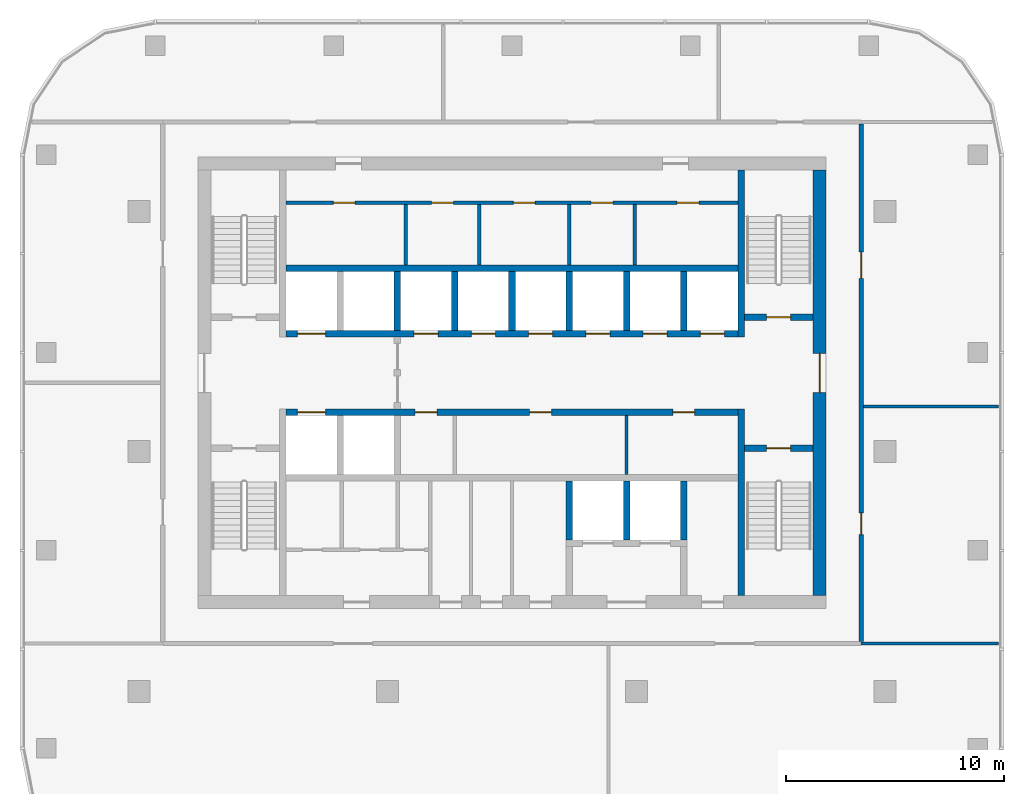
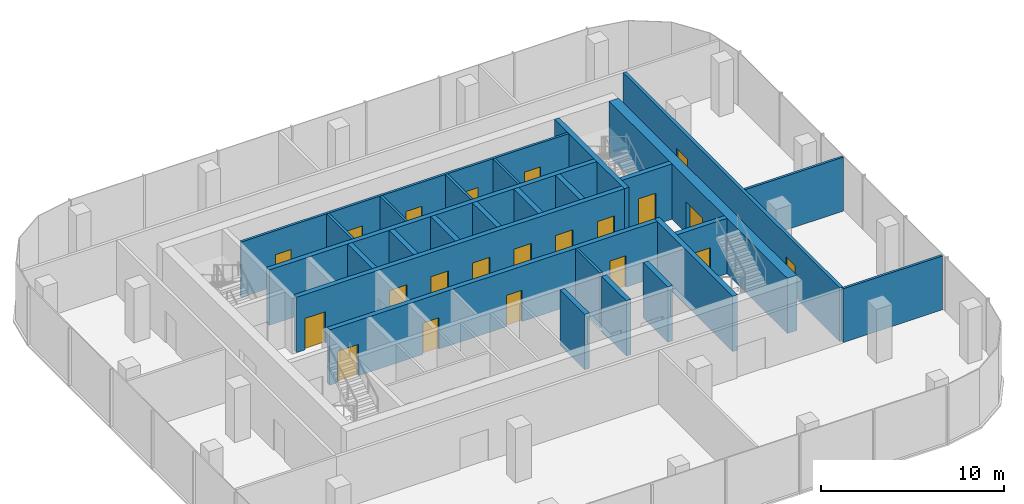
# One storey, part 7 of 9: 26 walls, 21 doors, 21 openings.
"""IFC4 building model written with IfcOpenShell, lengths in metres."""

from ifc_helpers import new_model, si_unit, direction, frame, frame_2d, origin, place, context, subcontext, project, spatial, rectangle, extrude, material, layer, layer_set, type_object, element, fill, save


model = new_model("IFC4")

# Units and contexts
model_context = context("Model", 3, precision=1e-05, world=origin(), true_north=direction((0.0, 1.0)))
body_context = subcontext(model_context, "Body", "Model", "MODEL_VIEW")
ifc_project = project(units=[si_unit("LENGTHUNIT", "METRE"), si_unit("AREAUNIT", "SQUARE_METRE"), si_unit("VOLUMEUNIT", "CUBIC_METRE"), si_unit("PLANEANGLEUNIT", "RADIAN"), si_unit("MASSUNIT", "GRAM", prefix="KILO")], contexts=[model_context])

# Site, building, storey
site_placement = place(None, origin())
site = spatial("IfcSite", under=ifc_project, at=site_placement, CompositionType="ELEMENT")
building_placement = place(site_placement, origin())
building = spatial("IfcBuilding", under=site, at=building_placement, Name="Mopane Tessera Tower", CompositionType="ELEMENT")
storey_placement = place(building_placement, frame((0.0, 0.0, 353.39990234375)))
storey = spatial("IfcBuildingStorey", under=building, at=storey_placement, Name="L77", CompositionType="ELEMENT", Elevation=353.39990234375)

# Walls
ifc_material_1 = material(Name="Fire-rated gypsum board partition")
ifc_layer_1 = layer(ifc_material_1, 0.14990234375)
ifc_layer_set_1 = layer_set([ifc_layer_1], Name="Fire-rated gypsum board partition")
wall_type_1 = type_object("IfcWallType", Name="Core room partition 150 mm", PredefinedType="PARTITIONING", material=ifc_layer_set_1)
for number, where, z_axis, x_axis, name in (
    (1, (-4.875, 8.550048828125, 0.0), (0.0, 0.0, 1.0), (0.0, 1.0, 0.0), "L77 Room partition"),
    (2, (-1.5, 8.550048828125, 0.0), (0.0, 0.0, 1.0), (0.0, 1.0, 0.0), "L77 Room partition"),
    (3, (2.625, 8.550048828125, 0.0), (0.0, 0.0, 1.0), (0.0, 1.0, 0.0), "L77 Room partition"),
    (4, (5.625, 8.550048828125, 0.0), (0.0, 0.0, 1.0), (0.0, 1.0, 0.0), "L77 Room partition"),
):
    element("IfcWall", number, at=place(storey_placement, frame(where, z_axis=z_axis, x_axis=x_axis)), inside=storey, type_object=wall_type_1, Name=name, PredefinedType="PARTITIONING", context=body_context, shape_type="SweptSolid", body=[
        extrude(rectangle(XDim=2.77490234375, YDim=0.14990234375, at=frame_2d((1.387451171875, 0.0))), origin(), (0.0, 0.0, 1.0), 3.7001953125),
    ])

# Wall, openings, doors
wall_1_placement = place(storey_placement, frame((-10.35009765625, 11.39990234375, 0.0), z_axis=(0.0, 0.0, 1.0), x_axis=(1.0, 0.0, 0.0)))
wall_1 = element("IfcWall", 5, at=wall_1_placement, inside=storey, type_object=wall_type_1, Name="L77 Corridor wall", PredefinedType="PARTITIONING", context=body_context, shape_type="SweptSolid", body=[
    extrude(rectangle(XDim=20.7001953125, YDim=0.14990234375, at=frame_2d((10.35009765625, 0.0))), origin(), (0.0, 0.0, 1.0), 3.7001953125),
])
opening_1_placement = place(wall_1_placement, frame((2.16259765625, 0.0, 0.0)))
opening_1 = element("IfcOpeningElement", 6, at=opening_1_placement, cuts=wall_1, Name="Opening RD1", PredefinedType="OPENING", context=body_context, shape_type="SweptSolid", body=[
    extrude(rectangle(XDim=1.0, YDim=2.10009765625, at=frame_2d((0.5, 1.050048828125))), frame((0.0, 0.0869140625, 0.0), z_axis=(0.0, -1.0, 0.0), x_axis=(1.0, 0.0, 0.0)), (0.0, 0.0, 1.0), 0.173828125),
])
opening_2_placement = place(wall_1_placement, frame((6.66259765625, 0.0, 0.0)))
opening_2 = element("IfcOpeningElement", 7, at=opening_2_placement, cuts=wall_1, Name="Opening RD1", PredefinedType="OPENING", context=body_context, shape_type="SweptSolid", body=[
    extrude(rectangle(XDim=1.0, YDim=2.10009765625, at=frame_2d((0.5, 1.050048828125))), frame((0.0, 0.0869140625, 0.0), z_axis=(0.0, -1.0, 0.0), x_axis=(1.0, 0.0, 0.0)), (0.0, 0.0, 1.0), 0.173828125),
])
opening_3_placement = place(wall_1_placement, frame((10.41259765625, 0.0, 0.0)))
opening_3 = element("IfcOpeningElement", 8, at=opening_3_placement, cuts=wall_1, Name="Opening RD1", PredefinedType="OPENING", context=body_context, shape_type="SweptSolid", body=[
    extrude(rectangle(XDim=1.0, YDim=2.10009765625, at=frame_2d((0.5, 1.050048828125))), frame((0.0, 0.0869140625, 0.0), z_axis=(0.0, -1.0, 0.0), x_axis=(1.0, 0.0, 0.0)), (0.0, 0.0, 1.0), 0.173828125),
])
opening_4_placement = place(wall_1_placement, frame((13.97509765625, 0.0, 0.0)))
opening_4 = element("IfcOpeningElement", 9, at=opening_4_placement, cuts=wall_1, Name="Opening RD1", PredefinedType="OPENING", context=body_context, shape_type="SweptSolid", body=[
    extrude(rectangle(XDim=1.0, YDim=2.10009765625, at=frame_2d((0.5, 1.050048828125))), frame((0.0, 0.0869140625, 0.0), z_axis=(0.0, -1.0, 0.0), x_axis=(1.0, 0.0, 0.0)), (0.0, 0.0, 1.0), 0.173828125),
])
opening_5_placement = place(wall_1_placement, frame((17.91259765625, 0.0, 0.0)))
opening_5 = element("IfcOpeningElement", 10, at=opening_5_placement, cuts=wall_1, Name="Opening RD1", PredefinedType="OPENING", context=body_context, shape_type="SweptSolid", body=[
    extrude(rectangle(XDim=1.0, YDim=2.10009765625, at=frame_2d((0.5, 1.050048828125))), frame((0.0, 0.0869140625, 0.0), z_axis=(0.0, -1.0, 0.0), x_axis=(1.0, 0.0, 0.0)), (0.0, 0.0, 1.0), 0.173828125),
])
ifc_material_2 = material(Name="Timber door", Category="wood")
door_type_1 = type_object("IfcDoorType", Name="Core room door 1000 x 2100", OperationType="SINGLE_SWING_LEFT", PredefinedType="DOOR", material=ifc_material_2)
door_1_placement = place(opening_1_placement, origin())
door_1 = element("IfcDoor", 11, at=door_1_placement, inside=storey, type_object=door_type_1, Name="L77 Room door", OperationType="SINGLE_SWING_LEFT", OverallHeight=2.10009765625, OverallWidth=1.0, PredefinedType="DOOR", context=body_context, shape_type="SweptSolid", body=[
    extrude(rectangle(XDim=1.0, YDim=2.10009765625, at=frame_2d((0.5, 1.050048828125))), frame((0.0, 0.02490234375, 0.0), z_axis=(0.0, -1.0, 0.0), x_axis=(1.0, 0.0, 0.0)), (0.0, 0.0, 1.0), 0.050048828125),
])
fill(opening_1, door_1)
door_2_placement = place(opening_2_placement, origin())
door_2 = element("IfcDoor", 12, at=door_2_placement, inside=storey, type_object=door_type_1, Name="L77 Room door", OperationType="SINGLE_SWING_LEFT", OverallHeight=2.10009765625, OverallWidth=1.0, PredefinedType="DOOR", context=body_context, shape_type="SweptSolid", body=[
    extrude(rectangle(XDim=1.0, YDim=2.10009765625, at=frame_2d((0.5, 1.050048828125))), frame((0.0, 0.02490234375, 0.0), z_axis=(0.0, -1.0, 0.0), x_axis=(1.0, 0.0, 0.0)), (0.0, 0.0, 1.0), 0.050048828125),
])
fill(opening_2, door_2)
door_3_placement = place(opening_3_placement, origin())
door_3 = element("IfcDoor", 13, at=door_3_placement, inside=storey, type_object=door_type_1, Name="L77 Room door", OperationType="SINGLE_SWING_LEFT", OverallHeight=2.10009765625, OverallWidth=1.0, PredefinedType="DOOR", context=body_context, shape_type="SweptSolid", body=[
    extrude(rectangle(XDim=1.0, YDim=2.10009765625, at=frame_2d((0.5, 1.050048828125))), frame((0.0, 0.02490234375, 0.0), z_axis=(0.0, -1.0, 0.0), x_axis=(1.0, 0.0, 0.0)), (0.0, 0.0, 1.0), 0.050048828125),
])
fill(opening_3, door_3)
door_4_placement = place(opening_4_placement, origin())
door_4 = element("IfcDoor", 14, at=door_4_placement, inside=storey, type_object=door_type_1, Name="L77 Room door", OperationType="SINGLE_SWING_LEFT", OverallHeight=2.10009765625, OverallWidth=1.0, PredefinedType="DOOR", context=body_context, shape_type="SweptSolid", body=[
    extrude(rectangle(XDim=1.0, YDim=2.10009765625, at=frame_2d((0.5, 1.050048828125))), frame((0.0, 0.02490234375, 0.0), z_axis=(0.0, -1.0, 0.0), x_axis=(1.0, 0.0, 0.0)), (0.0, 0.0, 1.0), 0.050048828125),
])
fill(opening_4, door_4)
door_5_placement = place(opening_5_placement, origin())
door_5 = element("IfcDoor", 15, at=door_5_placement, inside=storey, type_object=door_type_1, Name="L77 Room door", OperationType="SINGLE_SWING_LEFT", OverallHeight=2.10009765625, OverallWidth=1.0, PredefinedType="DOOR", context=body_context, shape_type="SweptSolid", body=[
    extrude(rectangle(XDim=1.0, YDim=2.10009765625, at=frame_2d((0.5, 1.050048828125))), frame((0.0, 0.02490234375, 0.0), z_axis=(0.0, -1.0, 0.0), x_axis=(1.0, 0.0, 0.0)), (0.0, 0.0, 1.0), 0.050048828125),
])
fill(opening_5, door_5)

# Wall
wall_2_placement = place(storey_placement, frame((5.25, -1.050048828125, 0.0), z_axis=(0.0, 0.0, 1.0), x_axis=(0.0, 1.0, 0.0)))
element("IfcWall", 16, at=wall_2_placement, inside=storey, type_object=wall_type_1, Name="L77 Room partition", PredefinedType="PARTITIONING", context=body_context, shape_type="SweptSolid", body=[
    extrude(rectangle(XDim=2.699951171875, YDim=0.14990234375, at=frame_2d((1.35009765625, 0.0))), origin(), (0.0, 0.0, 1.0), 3.7001953125),
])

# Wall, opening, door
ifc_material_3 = material(Name="Concrete C70/85", Category="concrete")
ifc_layer_2 = layer(ifc_material_3, 0.60009765625)
ifc_layer_set_2 = layer_set([ifc_layer_2], Name="Concrete C70/85")
wall_type_2 = type_object("IfcWallType", Name="Core shear wall 600 mm", PredefinedType="SHEAR", material=ifc_layer_set_2)
wall_3_placement = place(storey_placement, frame((14.10009765625, -6.60009765625, 0.0), z_axis=(0.0, 0.0, 1.0), x_axis=(0.0, 1.0, 0.0)))
wall_3 = element("IfcWall", 17, at=wall_3_placement, inside=storey, type_object=wall_type_2, Name="L77 Core wall east", PredefinedType="SHEAR", context=body_context, shape_type="SweptSolid", body=[
    extrude(rectangle(XDim=19.5, YDim=0.60009765625, at=frame_2d((9.75, 0.0))), origin(), (0.0, 0.0, 1.0), 3.7001953125),
])
opening_6_placement = place(wall_3_placement, frame((9.300048828125, 0.0, 0.0)))
opening_6 = element("IfcOpeningElement", 18, at=opening_6_placement, cuts=wall_3, Name="Opening SD2", PredefinedType="OPENING", context=body_context, shape_type="SweptSolid", body=[
    extrude(rectangle(XDim=1.800048828125, YDim=2.10009765625, at=frame_2d((0.89990234375, 1.050048828125))), frame((0.0, 0.31201171875, 0.0), z_axis=(0.0, -1.0, 0.0), x_axis=(1.0, 0.0, 0.0)), (0.0, 0.0, 1.0), 0.6240234375),
])
ifc_material_4 = material(Name="Steel fire door", Category="steel")
door_type_2 = type_object("IfcDoorType", Name="Core entrance double door 1800 x 2100", OperationType="DOUBLE_DOOR_SINGLE_SWING", PredefinedType="DOOR", material=ifc_material_4)
door_6_placement = place(opening_6_placement, origin())
door_6 = element("IfcDoor", 19, at=door_6_placement, inside=storey, type_object=door_type_2, Name="L77 Core entrance door east", OperationType="DOUBLE_DOOR_SINGLE_SWING", OverallHeight=2.10009765625, OverallWidth=1.800048828125, PredefinedType="DOOR", context=body_context, shape_type="SweptSolid", body=[
    extrude(rectangle(XDim=1.800048828125, YDim=2.10009765625, at=frame_2d((0.89990234375, 1.050048828125))), frame((0.0, 0.02490234375, 0.0), z_axis=(0.0, -1.0, 0.0), x_axis=(1.0, 0.0, 0.0)), (0.0, 0.0, 1.0), 0.050048828125),
])
fill(opening_6, door_6)

# Walls
ifc_material_5 = material(Name="Concrete C60/75", Category="concrete")
ifc_layer_3 = layer(ifc_material_5, 0.300048828125)
ifc_layer_set_3 = layer_set([ifc_layer_3], Name="Concrete C60/75")
wall_type_3 = type_object("IfcWallType", Name="Core spine wall 300 mm", PredefinedType="SHEAR", material=ifc_layer_set_3)
wall_4_placement = place(storey_placement, frame((10.5, -6.60009765625, 0.0), z_axis=(0.0, 0.0, 1.0), x_axis=(0.0, 1.0, 0.0)))
element("IfcWall", 20, at=wall_4_placement, inside=storey, type_object=wall_type_3, Name="L77 Core spine wall", PredefinedType="SHEAR", context=body_context, shape_type="SweptSolid", body=[
    extrude(rectangle(XDim=8.550048828125, YDim=0.300048828125, at=frame_2d((4.27490234375, 0.0))), origin(), (0.0, 0.0, 1.0), 3.7001953125),
])
wall_5_placement = place(storey_placement, frame((10.5, 5.25, 0.0), z_axis=(0.0, 0.0, 1.0), x_axis=(0.0, 1.0, 0.0)))
element("IfcWall", 21, at=wall_5_placement, inside=storey, type_object=wall_type_3, Name="L77 Core spine wall", PredefinedType="SHEAR", context=body_context, shape_type="SweptSolid", body=[
    extrude(rectangle(XDim=7.64990234375, YDim=0.300048828125, at=frame_2d((3.824951171875, 0.0))), origin(), (0.0, 0.0, 1.0), 3.7001953125),
])

# Wall, openings, doors
ifc_material_6 = material(Name="Gypsum board on steel studs, two layers each face, mineral wool infill", Category="steel")
ifc_layer_4 = layer(ifc_material_6, 0.199951171875)
ifc_layer_set_4 = layer_set([ifc_layer_4], Name="Gypsum board on steel studs, two layers each face, mineral wool infill")
wall_type_4 = type_object("IfcWallType", Name="Gypsum board corridor wall 200, rated EI 60", PredefinedType="PARTITIONING", material=ifc_layer_set_4)
wall_6_placement = place(storey_placement, frame((16.0, -8.699951171875, 0.0), z_axis=(0.0, 0.0, 1.0), x_axis=(0.0, 1.0, 0.0)))
wall_6 = element("IfcWall", 22, at=wall_6_placement, inside=storey, type_object=wall_type_4, Name="Partition L77:012", PredefinedType="PARTITIONING", context=body_context, shape_type="SweptSolid", body=[
    extrude(rectangle(XDim=23.699951171875, YDim=0.199951171875, at=frame_2d((11.85009765625, 0.0))), origin(), (0.0, 0.0, 1.0), 3.60009765625),
])
opening_7_placement = place(wall_6_placement, frame((16.632568359375, 0.0, 0.0)))
opening_7 = element("IfcOpeningElement", 23, at=opening_7_placement, cuts=wall_6, Name="Opening L77-02", PredefinedType="OPENING", context=body_context, shape_type="SweptSolid", body=[
    extrude(rectangle(XDim=1.199951171875, YDim=2.10009765625, at=frame_2d((0.60009765625, 1.050048828125))), frame((0.0, 0.112060546875, 0.0), z_axis=(0.0, -1.0, 0.0), x_axis=(1.0, 0.0, 0.0)), (0.0, 0.0, 1.0), 0.223876953125),
])
opening_8_placement = place(wall_6_placement, frame((4.882568359375, 0.0, 0.0)))
opening_8 = element("IfcOpeningElement", 24, at=opening_8_placement, cuts=wall_6, Name="Opening L77-07", PredefinedType="OPENING", context=body_context, shape_type="SweptSolid", body=[
    extrude(rectangle(XDim=1.0, YDim=2.10009765625, at=frame_2d((0.5, 1.050048828125))), frame((0.0, 0.112060546875, 0.0), z_axis=(0.0, -1.0, 0.0), x_axis=(1.0, 0.0, 0.0)), (0.0, 0.0, 1.0), 0.223876953125),
])
ifc_material_7 = material(Name="Timber veneered steel-framed fire door", Category="steel")
door_type_3 = type_object("IfcDoorType", Name="Fire door FD60 1000 x 2100", OperationType="SINGLE_SWING_LEFT", PredefinedType="DOOR", material=ifc_material_7)
door_7_placement = place(opening_8_placement, origin())
door_7 = element("IfcDoor", 25, at=door_7_placement, inside=storey, type_object=door_type_3, Name="Door L77-07", ObjectType="D12A", OperationType="SINGLE_SWING_LEFT", OverallHeight=2.10009765625, OverallWidth=1.0, PredefinedType="DOOR", context=body_context, shape_type="SweptSolid", body=[
    extrude(rectangle(XDim=1.0, YDim=2.10009765625, at=frame_2d((0.5, 1.050048828125))), frame((0.0, 0.02490234375, 0.0), z_axis=(0.0, -1.0, 0.0), x_axis=(1.0, 0.0, 0.0)), (0.0, 0.0, 1.0), 0.050048828125),
])
fill(opening_8, door_7)
ifc_material_8 = material(Name="Timber veneered steel-framed fire door", Category="steel")
door_type_4 = type_object("IfcDoorType", Name="Fire door FD60 1200 x 2100", OperationType="SINGLE_SWING_LEFT", PredefinedType="DOOR", material=ifc_material_8)
door_8_placement = place(opening_7_placement, origin())
door_8 = element("IfcDoor", 26, at=door_8_placement, inside=storey, type_object=door_type_4, Name="Door L77-02", ObjectType="D15A", OperationType="SINGLE_SWING_RIGHT", OverallHeight=2.10009765625, OverallWidth=1.199951171875, PredefinedType="DOOR", context=body_context, shape_type="SweptSolid", body=[
    extrude(rectangle(XDim=1.199951171875, YDim=2.10009765625, at=frame_2d((0.60009765625, 1.050048828125))), frame((0.0, 0.02490234375, 0.0), z_axis=(0.0, -1.0, 0.0), x_axis=(1.0, 0.0, 0.0)), (0.0, 0.0, 1.0), 0.050048828125),
])
fill(opening_7, door_8)

# Walls
ifc_material_9 = material(Name="Gypsum board on steel studs, mineral wool infill", Category="steel")
ifc_layer_5 = layer(ifc_material_9, 0.14990234375)
ifc_layer_set_5 = layer_set([ifc_layer_5], Name="Gypsum board on steel studs, mineral wool infill")
wall_type_5 = type_object("IfcWallType", Name="Gypsum board partition 150, rated EI 60", PredefinedType="PARTITIONING", material=ifc_layer_set_5)
wall_7_placement = place(storey_placement, frame((16.0, -8.800048828125, 0.0), z_axis=(0.0, 0.0, 1.0), x_axis=(1.0, 0.0, 0.0)))
element("IfcWall", 27, at=wall_7_placement, inside=storey, type_object=wall_type_5, Name="Partition L77:001", PredefinedType="PARTITIONING", context=body_context, shape_type="SweptSolid", body=[
    extrude(rectangle(XDim=6.300048828125, YDim=0.14990234375, at=frame_2d((3.14990234375, 0.0))), origin(), (0.0, 0.0, 1.0), 3.60009765625),
])
wall_8_placement = place(storey_placement, frame((16.10009765625, 2.06494140625, 0.0), z_axis=(0.0, 0.0, 1.0), x_axis=(1.0, 0.0, 0.0)))
element("IfcWall", 28, at=wall_8_placement, inside=storey, type_object=wall_type_5, Name="Partition L77:003", PredefinedType="PARTITIONING", context=body_context, shape_type="SweptSolid", body=[
    extrude(rectangle(XDim=6.199951171875, YDim=0.14990234375, at=frame_2d((3.10009765625, 0.0))), origin(), (0.0, 0.0, 1.0), 3.60009765625),
])

# Wall, opening, door
ifc_material_10 = material(Name="Concrete C50/60", Category="concrete")
ifc_layer_6 = layer(ifc_material_10, 0.300048828125)
ifc_layer_set_6 = layer_set([ifc_layer_6], Name="Concrete C50/60")
wall_type_6 = type_object("IfcWallType", Name="Lift and stair shaft wall 300 mm", PredefinedType="SOLIDWALL", material=ifc_layer_set_6)
wall_9_placement = place(storey_placement, frame((10.64990234375, 0.14990234375, 0.0), z_axis=(0.0, 0.0, 1.0), x_axis=(1.0, 0.0, 0.0)))
wall_9 = element("IfcWall", 29, at=wall_9_placement, inside=storey, type_object=wall_type_6, Name="L77 Stair enclosure wall", PredefinedType="SOLIDWALL", context=body_context, shape_type="SweptSolid", body=[
    extrude(rectangle(XDim=3.150146484375, YDim=0.300048828125, at=frame_2d((1.5751953125, 0.0))), origin(), (0.0, 0.0, 1.0), 3.7001953125),
])
opening_9_placement = place(wall_9_placement, frame((1.02490234375, 0.0, 0.0)))
opening_9 = element("IfcOpeningElement", 30, at=opening_9_placement, cuts=wall_9, Name="Opening SD1", PredefinedType="OPENING", context=body_context, shape_type="SweptSolid", body=[
    extrude(rectangle(XDim=1.10009765625, YDim=2.10009765625, at=frame_2d((0.550048828125, 1.050048828125))), frame((0.0, 0.162109375, 0.0), z_axis=(0.0, -1.0, 0.0), x_axis=(1.0, 0.0, 0.0)), (0.0, 0.0, 1.0), 0.323974609375),
])
ifc_material_11 = material(Name="Steel fire door", Category="steel")
door_type_5 = type_object("IfcDoorType", Name="Stair fire door 1100 x 2100", OperationType="SINGLE_SWING_LEFT", PredefinedType="DOOR", material=ifc_material_11)
door_9_placement = place(opening_9_placement, origin())
door_9 = element("IfcDoor", 31, at=door_9_placement, inside=storey, type_object=door_type_5, Name="L77 Stair door ST3", OperationType="SINGLE_SWING_RIGHT", OverallHeight=2.10009765625, OverallWidth=1.10009765625, PredefinedType="DOOR", context=body_context, shape_type="SweptSolid", body=[
    extrude(rectangle(XDim=1.10009765625, YDim=2.10009765625, at=frame_2d((0.550048828125, 1.050048828125))), frame((0.0, 0.02490234375, 0.0), z_axis=(0.0, -1.0, 0.0), x_axis=(1.0, 0.0, 0.0)), (0.0, 0.0, 1.0), 0.050048828125),
])
fill(opening_9, door_9)

wall_10_placement = place(storey_placement, frame((10.64990234375, 6.14990234375, 0.0), z_axis=(0.0, 0.0, 1.0), x_axis=(1.0, 0.0, 0.0)))
wall_10 = element("IfcWall", 32, at=wall_10_placement, inside=storey, type_object=wall_type_6, Name="L77 Stair enclosure wall", PredefinedType="SOLIDWALL", context=body_context, shape_type="SweptSolid", body=[
    extrude(rectangle(XDim=3.150146484375, YDim=0.300048828125, at=frame_2d((1.5751953125, 0.0))), origin(), (0.0, 0.0, 1.0), 3.7001953125),
])
opening_10_placement = place(wall_10_placement, frame((1.02490234375, 0.0, 0.0)))
opening_10 = element("IfcOpeningElement", 33, at=opening_10_placement, cuts=wall_10, Name="Opening SD1", PredefinedType="OPENING", context=body_context, shape_type="SweptSolid", body=[
    extrude(rectangle(XDim=1.10009765625, YDim=2.10009765625, at=frame_2d((0.550048828125, 1.050048828125))), frame((0.0, 0.162109375, 0.0), z_axis=(0.0, -1.0, 0.0), x_axis=(1.0, 0.0, 0.0)), (0.0, 0.0, 1.0), 0.323974609375),
])
door_10_placement = place(opening_10_placement, origin())
door_10 = element("IfcDoor", 34, at=door_10_placement, inside=storey, type_object=door_type_5, Name="L77 Stair door ST4", OperationType="SINGLE_SWING_RIGHT", OverallHeight=2.10009765625, OverallWidth=1.10009765625, PredefinedType="DOOR", context=body_context, shape_type="SweptSolid", body=[
    extrude(rectangle(XDim=1.10009765625, YDim=2.10009765625, at=frame_2d((0.550048828125, 1.050048828125))), frame((0.0, 0.02490234375, 0.0), z_axis=(0.0, -1.0, 0.0), x_axis=(1.0, 0.0, 0.0)), (0.0, 0.0, 1.0), 0.050048828125),
])
fill(opening_10, door_10)

# Wall, openings, doors
wall_11_placement = place(storey_placement, frame((-10.35009765625, 1.800048828125, 0.0), z_axis=(0.0, 0.0, 1.0), x_axis=(1.0, 0.0, 0.0)))
wall_11 = element("IfcWall", 35, at=wall_11_placement, inside=storey, type_object=wall_type_6, Name="L77 Lift shaft front wall", PredefinedType="SOLIDWALL", context=body_context, shape_type="SweptSolid", body=[
    extrude(rectangle(XDim=20.7001953125, YDim=0.300048828125, at=frame_2d((10.35009765625, 0.0))), origin(), (0.0, 0.0, 1.0), 3.7001953125),
])
opening_11_placement = place(wall_11_placement, frame((0.512451171875, 0.0, 0.0)))
opening_11 = element("IfcOpeningElement", 36, at=opening_11_placement, cuts=wall_11, Name="Opening LD2", PredefinedType="OPENING", context=body_context, shape_type="SweptSolid", body=[
    extrude(rectangle(XDim=1.300048828125, YDim=2.10009765625, at=frame_2d((0.64990234375, 1.050048828125))), frame((0.0, 0.162109375, 0.0), z_axis=(0.0, -1.0, 0.0), x_axis=(1.0, 0.0, 0.0)), (0.0, 0.0, 1.0), 0.323974609375),
])
opening_12_placement = place(wall_11_placement, frame((5.91259765625, 0.0, 0.0)))
opening_12 = element("IfcOpeningElement", 37, at=opening_12_placement, cuts=wall_11, Name="Opening RD1", PredefinedType="OPENING", context=body_context, shape_type="SweptSolid", body=[
    extrude(rectangle(XDim=1.0, YDim=2.10009765625, at=frame_2d((0.5, 1.050048828125))), frame((0.0, 0.162109375, 0.0), z_axis=(0.0, -1.0, 0.0), x_axis=(1.0, 0.0, 0.0)), (0.0, 0.0, 1.0), 0.323974609375),
])
opening_13_placement = place(wall_11_placement, frame((11.16259765625, 0.0, 0.0)))
opening_13 = element("IfcOpeningElement", 38, at=opening_13_placement, cuts=wall_11, Name="Opening RD1", PredefinedType="OPENING", context=body_context, shape_type="SweptSolid", body=[
    extrude(rectangle(XDim=1.0, YDim=2.10009765625, at=frame_2d((0.5, 1.050048828125))), frame((0.0, 0.162109375, 0.0), z_axis=(0.0, -1.0, 0.0), x_axis=(1.0, 0.0, 0.0)), (0.0, 0.0, 1.0), 0.323974609375),
])
opening_14_placement = place(wall_11_placement, frame((17.72509765625, 0.0, 0.0)))
opening_14 = element("IfcOpeningElement", 39, at=opening_14_placement, cuts=wall_11, Name="Opening RD1", PredefinedType="OPENING", context=body_context, shape_type="SweptSolid", body=[
    extrude(rectangle(XDim=1.0, YDim=2.10009765625, at=frame_2d((0.5, 1.050048828125))), frame((0.0, 0.162109375, 0.0), z_axis=(0.0, -1.0, 0.0), x_axis=(1.0, 0.0, 0.0)), (0.0, 0.0, 1.0), 0.323974609375),
])
door_11_placement = place(opening_12_placement, origin())
door_11 = element("IfcDoor", 40, at=door_11_placement, inside=storey, type_object=door_type_1, Name="L77 Room door", OperationType="SINGLE_SWING_LEFT", OverallHeight=2.10009765625, OverallWidth=1.0, PredefinedType="DOOR", context=body_context, shape_type="SweptSolid", body=[
    extrude(rectangle(XDim=1.0, YDim=2.10009765625, at=frame_2d((0.5, 1.050048828125))), frame((0.0, 0.02490234375, 0.0), z_axis=(0.0, -1.0, 0.0), x_axis=(1.0, 0.0, 0.0)), (0.0, 0.0, 1.0), 0.050048828125),
])
fill(opening_12, door_11)
door_12_placement = place(opening_13_placement, origin())
door_12 = element("IfcDoor", 41, at=door_12_placement, inside=storey, type_object=door_type_1, Name="L77 Room door", OperationType="SINGLE_SWING_LEFT", OverallHeight=2.10009765625, OverallWidth=1.0, PredefinedType="DOOR", context=body_context, shape_type="SweptSolid", body=[
    extrude(rectangle(XDim=1.0, YDim=2.10009765625, at=frame_2d((0.5, 1.050048828125))), frame((0.0, 0.02490234375, 0.0), z_axis=(0.0, -1.0, 0.0), x_axis=(1.0, 0.0, 0.0)), (0.0, 0.0, 1.0), 0.050048828125),
])
fill(opening_13, door_12)
door_13_placement = place(opening_14_placement, origin())
door_13 = element("IfcDoor", 42, at=door_13_placement, inside=storey, type_object=door_type_1, Name="L77 Room door", OperationType="SINGLE_SWING_LEFT", OverallHeight=2.10009765625, OverallWidth=1.0, PredefinedType="DOOR", context=body_context, shape_type="SweptSolid", body=[
    extrude(rectangle(XDim=1.0, YDim=2.10009765625, at=frame_2d((0.5, 1.050048828125))), frame((0.0, 0.02490234375, 0.0), z_axis=(0.0, -1.0, 0.0), x_axis=(1.0, 0.0, 0.0)), (0.0, 0.0, 1.0), 0.050048828125),
])
fill(opening_14, door_13)
ifc_material_12 = material(Name="Stainless steel sliding door", Category="steel")
door_type_6 = type_object("IfcDoorType", Name="Fire-fighting lift landing door 1300 x 2100", OperationType="DOUBLE_DOOR_SLIDING", PredefinedType="DOOR", material=ifc_material_12)
door_14_placement = place(opening_11_placement, origin())
door_14 = element("IfcDoor", 43, at=door_14_placement, inside=storey, type_object=door_type_6, Name="L77 Lift landing door FF1", OperationType="DOUBLE_DOOR_SLIDING", OverallHeight=2.10009765625, OverallWidth=1.300048828125, PredefinedType="DOOR", context=body_context, shape_type="SweptSolid", body=[
    extrude(rectangle(XDim=1.300048828125, YDim=2.10009765625, at=frame_2d((0.64990234375, 1.050048828125))), frame((0.0, 0.02490234375, 0.0), z_axis=(0.0, -1.0, 0.0), x_axis=(1.0, 0.0, 0.0)), (0.0, 0.0, 1.0), 0.050048828125),
])
fill(opening_11, door_14)

wall_12_placement = place(storey_placement, frame((-10.35009765625, 5.39990234375, 0.0), z_axis=(0.0, 0.0, 1.0), x_axis=(1.0, 0.0, 0.0)))
wall_12 = element("IfcWall", 44, at=wall_12_placement, inside=storey, type_object=wall_type_6, Name="L77 Lift shaft front wall", PredefinedType="SOLIDWALL", context=body_context, shape_type="SweptSolid", body=[
    extrude(rectangle(XDim=20.7001953125, YDim=0.300048828125, at=frame_2d((10.35009765625, 0.0))), origin(), (0.0, 0.0, 1.0), 3.7001953125),
])
opening_15_placement = place(wall_12_placement, frame((0.512451171875, 0.0, 0.0)))
opening_15 = element("IfcOpeningElement", 45, at=opening_15_placement, cuts=wall_12, Name="Opening LD2", PredefinedType="OPENING", context=body_context, shape_type="SweptSolid", body=[
    extrude(rectangle(XDim=1.300048828125, YDim=2.10009765625, at=frame_2d((0.64990234375, 1.050048828125))), frame((0.0, 0.162109375, 0.0), z_axis=(0.0, -1.0, 0.0), x_axis=(1.0, 0.0, 0.0)), (0.0, 0.0, 1.0), 0.323974609375),
])
opening_16_placement = place(wall_12_placement, frame((5.862548828125, 0.0, 0.0)))
opening_16 = element("IfcOpeningElement", 46, at=opening_16_placement, cuts=wall_12, Name="Opening LD", PredefinedType="OPENING", context=body_context, shape_type="SweptSolid", body=[
    extrude(rectangle(XDim=1.10009765625, YDim=2.10009765625, at=frame_2d((0.550048828125, 1.050048828125))), frame((0.0, 0.162109375, 0.0), z_axis=(0.0, -1.0, 0.0), x_axis=(1.0, 0.0, 0.0)), (0.0, 0.0, 1.0), 0.323974609375),
])
opening_17_placement = place(wall_12_placement, frame((8.487548828125, 0.0, 0.0)))
opening_17 = element("IfcOpeningElement", 47, at=opening_17_placement, cuts=wall_12, Name="Opening LD", PredefinedType="OPENING", context=body_context, shape_type="SweptSolid", body=[
    extrude(rectangle(XDim=1.10009765625, YDim=2.10009765625, at=frame_2d((0.550048828125, 1.050048828125))), frame((0.0, 0.162109375, 0.0), z_axis=(0.0, -1.0, 0.0), x_axis=(1.0, 0.0, 0.0)), (0.0, 0.0, 1.0), 0.323974609375),
])
opening_18_placement = place(wall_12_placement, frame((11.112548828125, 0.0, 0.0)))
opening_18 = element("IfcOpeningElement", 48, at=opening_18_placement, cuts=wall_12, Name="Opening LD", PredefinedType="OPENING", context=body_context, shape_type="SweptSolid", body=[
    extrude(rectangle(XDim=1.10009765625, YDim=2.10009765625, at=frame_2d((0.550048828125, 1.050048828125))), frame((0.0, 0.162109375, 0.0), z_axis=(0.0, -1.0, 0.0), x_axis=(1.0, 0.0, 0.0)), (0.0, 0.0, 1.0), 0.323974609375),
])
opening_19_placement = place(wall_12_placement, frame((13.737548828125, 0.0, 0.0)))
opening_19 = element("IfcOpeningElement", 49, at=opening_19_placement, cuts=wall_12, Name="Opening LD", PredefinedType="OPENING", context=body_context, shape_type="SweptSolid", body=[
    extrude(rectangle(XDim=1.10009765625, YDim=2.10009765625, at=frame_2d((0.550048828125, 1.050048828125))), frame((0.0, 0.162109375, 0.0), z_axis=(0.0, -1.0, 0.0), x_axis=(1.0, 0.0, 0.0)), (0.0, 0.0, 1.0), 0.323974609375),
])
opening_20_placement = place(wall_12_placement, frame((16.362548828125, 0.0, 0.0)))
opening_20 = element("IfcOpeningElement", 50, at=opening_20_placement, cuts=wall_12, Name="Opening LD", PredefinedType="OPENING", context=body_context, shape_type="SweptSolid", body=[
    extrude(rectangle(XDim=1.10009765625, YDim=2.10009765625, at=frame_2d((0.550048828125, 1.050048828125))), frame((0.0, 0.162109375, 0.0), z_axis=(0.0, -1.0, 0.0), x_axis=(1.0, 0.0, 0.0)), (0.0, 0.0, 1.0), 0.323974609375),
])
opening_21_placement = place(wall_12_placement, frame((18.987548828125, 0.0, 0.0)))
opening_21 = element("IfcOpeningElement", 51, at=opening_21_placement, cuts=wall_12, Name="Opening LD", PredefinedType="OPENING", context=body_context, shape_type="SweptSolid", body=[
    extrude(rectangle(XDim=1.10009765625, YDim=2.10009765625, at=frame_2d((0.550048828125, 1.050048828125))), frame((0.0, 0.162109375, 0.0), z_axis=(0.0, -1.0, 0.0), x_axis=(1.0, 0.0, 0.0)), (0.0, 0.0, 1.0), 0.323974609375),
])
door_15_placement = place(opening_15_placement, origin())
door_15 = element("IfcDoor", 52, at=door_15_placement, inside=storey, type_object=door_type_6, Name="L77 Lift landing door FF2", OperationType="DOUBLE_DOOR_SLIDING", OverallHeight=2.10009765625, OverallWidth=1.300048828125, PredefinedType="DOOR", context=body_context, shape_type="SweptSolid", body=[
    extrude(rectangle(XDim=1.300048828125, YDim=2.10009765625, at=frame_2d((0.64990234375, 1.050048828125))), frame((0.0, 0.02490234375, 0.0), z_axis=(0.0, -1.0, 0.0), x_axis=(1.0, 0.0, 0.0)), (0.0, 0.0, 1.0), 0.050048828125),
])
fill(opening_15, door_15)
ifc_material_13 = material(Name="Stainless steel sliding door", Category="steel")
door_type_7 = type_object("IfcDoorType", Name="Lift landing door 1100 x 2100", OperationType="DOUBLE_DOOR_SLIDING", PredefinedType="DOOR", material=ifc_material_13)
door_16_placement = place(opening_16_placement, origin())
door_16 = element("IfcDoor", 53, at=door_16_placement, inside=storey, type_object=door_type_7, Name="L77 Lift landing door HR1", OperationType="DOUBLE_DOOR_SLIDING", OverallHeight=2.10009765625, OverallWidth=1.10009765625, PredefinedType="DOOR", context=body_context, shape_type="SweptSolid", body=[
    extrude(rectangle(XDim=1.10009765625, YDim=2.10009765625, at=frame_2d((0.550048828125, 1.050048828125))), frame((0.0, 0.02490234375, 0.0), z_axis=(0.0, -1.0, 0.0), x_axis=(1.0, 0.0, 0.0)), (0.0, 0.0, 1.0), 0.050048828125),
])
fill(opening_16, door_16)
door_17_placement = place(opening_17_placement, origin())
door_17 = element("IfcDoor", 54, at=door_17_placement, inside=storey, type_object=door_type_7, Name="L77 Lift landing door HR2", OperationType="DOUBLE_DOOR_SLIDING", OverallHeight=2.10009765625, OverallWidth=1.10009765625, PredefinedType="DOOR", context=body_context, shape_type="SweptSolid", body=[
    extrude(rectangle(XDim=1.10009765625, YDim=2.10009765625, at=frame_2d((0.550048828125, 1.050048828125))), frame((0.0, 0.02490234375, 0.0), z_axis=(0.0, -1.0, 0.0), x_axis=(1.0, 0.0, 0.0)), (0.0, 0.0, 1.0), 0.050048828125),
])
fill(opening_17, door_17)
door_18_placement = place(opening_18_placement, origin())
door_18 = element("IfcDoor", 55, at=door_18_placement, inside=storey, type_object=door_type_7, Name="L77 Lift landing door HR3", OperationType="DOUBLE_DOOR_SLIDING", OverallHeight=2.10009765625, OverallWidth=1.10009765625, PredefinedType="DOOR", context=body_context, shape_type="SweptSolid", body=[
    extrude(rectangle(XDim=1.10009765625, YDim=2.10009765625, at=frame_2d((0.550048828125, 1.050048828125))), frame((0.0, 0.02490234375, 0.0), z_axis=(0.0, -1.0, 0.0), x_axis=(1.0, 0.0, 0.0)), (0.0, 0.0, 1.0), 0.050048828125),
])
fill(opening_18, door_18)
door_19_placement = place(opening_19_placement, origin())
door_19 = element("IfcDoor", 56, at=door_19_placement, inside=storey, type_object=door_type_7, Name="L77 Lift landing door HR4", OperationType="DOUBLE_DOOR_SLIDING", OverallHeight=2.10009765625, OverallWidth=1.10009765625, PredefinedType="DOOR", context=body_context, shape_type="SweptSolid", body=[
    extrude(rectangle(XDim=1.10009765625, YDim=2.10009765625, at=frame_2d((0.550048828125, 1.050048828125))), frame((0.0, 0.02490234375, 0.0), z_axis=(0.0, -1.0, 0.0), x_axis=(1.0, 0.0, 0.0)), (0.0, 0.0, 1.0), 0.050048828125),
])
fill(opening_19, door_19)
door_20_placement = place(opening_20_placement, origin())
door_20 = element("IfcDoor", 57, at=door_20_placement, inside=storey, type_object=door_type_7, Name="L77 Lift landing door HR5", OperationType="DOUBLE_DOOR_SLIDING", OverallHeight=2.10009765625, OverallWidth=1.10009765625, PredefinedType="DOOR", context=body_context, shape_type="SweptSolid", body=[
    extrude(rectangle(XDim=1.10009765625, YDim=2.10009765625, at=frame_2d((0.550048828125, 1.050048828125))), frame((0.0, 0.02490234375, 0.0), z_axis=(0.0, -1.0, 0.0), x_axis=(1.0, 0.0, 0.0)), (0.0, 0.0, 1.0), 0.050048828125),
])
fill(opening_20, door_20)
door_21_placement = place(opening_21_placement, origin())
door_21 = element("IfcDoor", 58, at=door_21_placement, inside=storey, type_object=door_type_7, Name="L77 Lift landing door HR6", OperationType="DOUBLE_DOOR_SLIDING", OverallHeight=2.10009765625, OverallWidth=1.10009765625, PredefinedType="DOOR", context=body_context, shape_type="SweptSolid", body=[
    extrude(rectangle(XDim=1.10009765625, YDim=2.10009765625, at=frame_2d((0.550048828125, 1.050048828125))), frame((0.0, 0.02490234375, 0.0), z_axis=(0.0, -1.0, 0.0), x_axis=(1.0, 0.0, 0.0)), (0.0, 0.0, 1.0), 0.050048828125),
])
fill(opening_21, door_21)

# Walls
wall_13_placement = place(storey_placement, frame((-10.35009765625, 8.39990234375, 0.0), z_axis=(0.0, 0.0, 1.0), x_axis=(1.0, 0.0, 0.0)))
element("IfcWall", 59, at=wall_13_placement, inside=storey, type_object=wall_type_6, Name="L77 Lift shaft rear wall", PredefinedType="SOLIDWALL", context=body_context, shape_type="SweptSolid", body=[
    extrude(rectangle(XDim=20.7001953125, YDim=0.300048828125, at=frame_2d((10.35009765625, 0.0))), origin(), (0.0, 0.0, 1.0), 3.7001953125),
])
for number, where, z_axis, x_axis, name in (
    (60, (-5.25, 5.550048828125, 0.0), (0.0, 0.0, 1.0), (0.0, 1.0, 0.0), "L77 Lift shaft wall"),
    (61, (-2.625, 5.550048828125, 0.0), (0.0, 0.0, 1.0), (0.0, 1.0, 0.0), "L77 Lift shaft wall"),
    (62, (0.0, 5.550048828125, 0.0), (0.0, 0.0, 1.0), (0.0, 1.0, 0.0), "L77 Lift shaft wall"),
    (63, (2.625, 5.550048828125, 0.0), (0.0, 0.0, 1.0), (0.0, 1.0, 0.0), "L77 Lift shaft wall"),
    (64, (5.25, 5.550048828125, 0.0), (0.0, 0.0, 1.0), (0.0, 1.0, 0.0), "L77 Lift shaft wall"),
    (65, (7.875, 5.550048828125, 0.0), (0.0, 0.0, 1.0), (0.0, 1.0, 0.0), "L77 Lift shaft wall"),
    (66, (2.625, -4.050048828125, 0.0), (0.0, 0.0, 1.0), (0.0, 1.0, 0.0), "L77 Lift shaft wall"),
    (67, (5.25, -4.050048828125, 0.0), (0.0, 0.0, 1.0), (0.0, 1.0, 0.0), "L77 Lift shaft wall"),
    (68, (7.875, -4.050048828125, 0.0), (0.0, 0.0, 1.0), (0.0, 1.0, 0.0), "L77 Lift shaft wall"),
):
    element("IfcWall", number, at=place(storey_placement, frame(where, z_axis=z_axis, x_axis=x_axis)), inside=storey, type_object=wall_type_6, Name=name, PredefinedType="SOLIDWALL", context=body_context, shape_type="SweptSolid", body=[
        extrude(rectangle(XDim=2.699951171875, YDim=0.300048828125, at=frame_2d((1.35009765625, 0.0))), origin(), (0.0, 0.0, 1.0), 3.7001953125),
    ])

save(model, "model.ifc")
